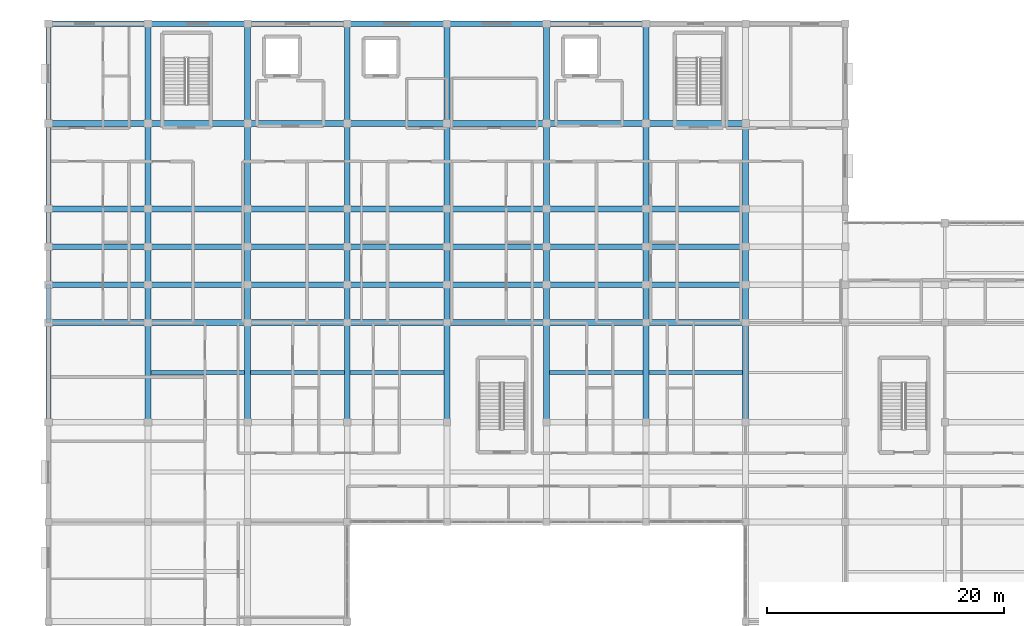
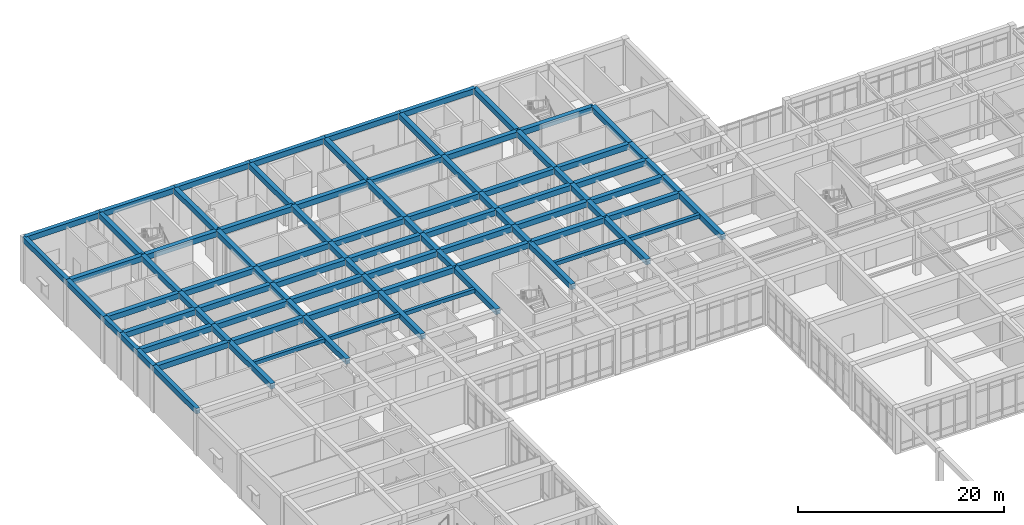
# One storey, part 22 of 89: 93 beams.
"""IFC4 building model written with IfcOpenShell, lengths in metres."""

from ifc_helpers import new_model, si_unit, direction, frame, origin, origin_2d, place, context, subcontext, project, spatial, rectangle, extrude, material, material_profile, profile_set, type_object, element, save


model = new_model("IFC4")

# Units and contexts
model_context = context("Model", 3, precision=1e-05, world=origin(), true_north=direction((0.0, 1.0)))
body_context = subcontext(model_context, "Body", "Model", "MODEL_VIEW")
ifc_project = project(units=[si_unit("LENGTHUNIT", "METRE"), si_unit("AREAUNIT", "SQUARE_METRE"), si_unit("VOLUMEUNIT", "CUBIC_METRE"), si_unit("PLANEANGLEUNIT", "RADIAN"), si_unit("MASSUNIT", "GRAM", prefix="KILO")], contexts=[model_context])

# Site, building, storey
site_placement = place(None, origin())
site = spatial("IfcSite", under=ifc_project, at=site_placement, CompositionType="ELEMENT")
building_placement = place(site_placement, origin())
building = spatial("IfcBuilding", under=site, at=building_placement, Name="Varncliffe General Hospital", CompositionType="ELEMENT")
storey_placement = place(building_placement, frame((0.0, 0.0, 10.800048828125)))
storey = spatial("IfcBuildingStorey", under=building, at=storey_placement, Name="L02", CompositionType="ELEMENT", Elevation=10.800048828125)

# Beams
ifc_material = material(Name="Concrete C35/45 (CSA A23.1 35 MPa)", Category="concrete")
ifc_material_profile_1 = material_profile(ifc_material, rectangle(XDim=0.5, YDim=0.64990234375, at=origin_2d()), Name="RC 500x650")
ifc_profile_set_1 = profile_set([ifc_material_profile_1], Name="Concrete C35/45 (CSA A23.1 35 MPa)")
beam_type_1 = type_object("IfcBeamType", Name="Beam B29 (Int RC 500x650)", PredefinedType="BEAM", material=ifc_profile_set_1)
beam_1_placement = place(storey_placement, frame((0.0, 99.60009765625, 5.074951171875), z_axis=(1.0, 0.0, 0.0), x_axis=(0.0, 1.0, 0.0)))
element("IfcBeam", 1, at=beam_1_placement, inside=storey, type_object=beam_type_1, Name="L02 Primary Beam B29-131", PredefinedType="BEAM", context=body_context, shape_type="SweptSolid", body=[
    extrude(rectangle(XDim=0.5, YDim=0.64990234375, at=origin_2d()), origin(), (0.0, 0.0, 1.0), 8.39990234375),
])
beam_2_placement = place(storey_placement, frame((8.39990234375, 99.60009765625, 5.074951171875), z_axis=(1.0, 0.0, 0.0), x_axis=(0.0, 1.0, 0.0)))
element("IfcBeam", 2, at=beam_2_placement, inside=storey, type_object=beam_type_1, Name="L02 Primary Beam B29-132", PredefinedType="BEAM", context=body_context, shape_type="SweptSolid", body=[
    extrude(rectangle(XDim=0.5, YDim=0.64990234375, at=origin_2d()), origin(), (0.0, 0.0, 1.0), 8.400146484375),
])
beam_3_placement = place(storey_placement, frame((16.800048828125, 99.60009765625, 5.074951171875), z_axis=(1.0, 0.0, 0.0), x_axis=(0.0, 1.0, 0.0)))
element("IfcBeam", 3, at=beam_3_placement, inside=storey, type_object=beam_type_1, Name="L02 Primary Beam B29-133", PredefinedType="BEAM", context=body_context, shape_type="SweptSolid", body=[
    extrude(rectangle(XDim=0.5, YDim=0.64990234375, at=origin_2d()), origin(), (0.0, 0.0, 1.0), 8.39990234375),
])
beam_4_placement = place(storey_placement, frame((25.199951171875, 99.60009765625, 5.074951171875), z_axis=(1.0, 0.0, 0.0), x_axis=(0.0, 1.0, 0.0)))
element("IfcBeam", 4, at=beam_4_placement, inside=storey, type_object=beam_type_1, Name="L02 Primary Beam B29-134", PredefinedType="BEAM", context=body_context, shape_type="SweptSolid", body=[
    extrude(rectangle(XDim=0.5, YDim=0.64990234375, at=origin_2d()), origin(), (0.0, 0.0, 1.0), 8.400146484375),
])
for number, where, z_axis, x_axis, name in (
    (5, (33.60009765625, 99.60009765625, 5.074951171875), (1.0, 0.0, 0.0), (0.0, 1.0, 0.0), "L02 Primary Beam B29-135"),
    (6, (42.0, 99.60009765625, 5.074951171875), (1.0, 0.0, 0.0), (0.0, 1.0, 0.0), "L02 Primary Beam B29-136"),
):
    element("IfcBeam", number, at=place(storey_placement, frame(where, z_axis=z_axis, x_axis=x_axis)), inside=storey, type_object=beam_type_1, Name=name, PredefinedType="BEAM", context=body_context, shape_type="SweptSolid", body=[
        extrude(rectangle(XDim=0.5, YDim=0.64990234375, at=origin_2d()), origin(), (0.0, 0.0, 1.0), 8.39990234375),
    ])
beam_5_placement = place(storey_placement, frame((50.39990234375, 99.60009765625, 5.074951171875), z_axis=(1.0, 0.0, 0.0), x_axis=(0.0, 1.0, 0.0)))
element("IfcBeam", 7, at=beam_5_placement, inside=storey, type_object=beam_type_1, Name="L02 Primary Beam B29-137", PredefinedType="BEAM", context=body_context, shape_type="SweptSolid", body=[
    extrude(rectangle(XDim=0.5, YDim=0.64990234375, at=origin_2d()), origin(), (0.0, 0.0, 1.0), 8.400146484375),
])
beam_6_placement = place(storey_placement, frame((0.0, 102.800048828125, 5.074951171875), z_axis=(1.0, 0.0, 0.0), x_axis=(0.0, 1.0, 0.0)))
element("IfcBeam", 8, at=beam_6_placement, inside=storey, type_object=beam_type_1, Name="L02 Primary Beam B29-152", PredefinedType="BEAM", context=body_context, shape_type="SweptSolid", body=[
    extrude(rectangle(XDim=0.5, YDim=0.64990234375, at=origin_2d()), origin(), (0.0, 0.0, 1.0), 8.39990234375),
])
beam_7_placement = place(storey_placement, frame((8.39990234375, 102.800048828125, 5.074951171875), z_axis=(1.0, 0.0, 0.0), x_axis=(0.0, 1.0, 0.0)))
element("IfcBeam", 9, at=beam_7_placement, inside=storey, type_object=beam_type_1, Name="L02 Primary Beam B29-153", PredefinedType="BEAM", context=body_context, shape_type="SweptSolid", body=[
    extrude(rectangle(XDim=0.5, YDim=0.64990234375, at=origin_2d()), origin(), (0.0, 0.0, 1.0), 8.400146484375),
])
beam_8_placement = place(storey_placement, frame((16.800048828125, 102.800048828125, 5.074951171875), z_axis=(1.0, 0.0, 0.0), x_axis=(0.0, 1.0, 0.0)))
element("IfcBeam", 10, at=beam_8_placement, inside=storey, type_object=beam_type_1, Name="L02 Primary Beam B29-154", PredefinedType="BEAM", context=body_context, shape_type="SweptSolid", body=[
    extrude(rectangle(XDim=0.5, YDim=0.64990234375, at=origin_2d()), origin(), (0.0, 0.0, 1.0), 8.39990234375),
])
beam_9_placement = place(storey_placement, frame((25.199951171875, 102.800048828125, 5.074951171875), z_axis=(1.0, 0.0, 0.0), x_axis=(0.0, 1.0, 0.0)))
element("IfcBeam", 11, at=beam_9_placement, inside=storey, type_object=beam_type_1, Name="L02 Primary Beam B29-155", PredefinedType="BEAM", context=body_context, shape_type="SweptSolid", body=[
    extrude(rectangle(XDim=0.5, YDim=0.64990234375, at=origin_2d()), origin(), (0.0, 0.0, 1.0), 8.400146484375),
])
for number, where, z_axis, x_axis, name in (
    (12, (33.60009765625, 102.800048828125, 5.074951171875), (1.0, 0.0, 0.0), (0.0, 1.0, 0.0), "L02 Primary Beam B29-156"),
    (13, (42.0, 102.800048828125, 5.074951171875), (1.0, 0.0, 0.0), (0.0, 1.0, 0.0), "L02 Primary Beam B29-157"),
):
    element("IfcBeam", number, at=place(storey_placement, frame(where, z_axis=z_axis, x_axis=x_axis)), inside=storey, type_object=beam_type_1, Name=name, PredefinedType="BEAM", context=body_context, shape_type="SweptSolid", body=[
        extrude(rectangle(XDim=0.5, YDim=0.64990234375, at=origin_2d()), origin(), (0.0, 0.0, 1.0), 8.39990234375),
    ])
beam_10_placement = place(storey_placement, frame((50.39990234375, 102.800048828125, 5.074951171875), z_axis=(1.0, 0.0, 0.0), x_axis=(0.0, 1.0, 0.0)))
element("IfcBeam", 14, at=beam_10_placement, inside=storey, type_object=beam_type_1, Name="L02 Primary Beam B29-158", PredefinedType="BEAM", context=body_context, shape_type="SweptSolid", body=[
    extrude(rectangle(XDim=0.5, YDim=0.64990234375, at=origin_2d()), origin(), (0.0, 0.0, 1.0), 8.400146484375),
])
beam_11_placement = place(storey_placement, frame((0.0, 106.0, 5.074951171875), z_axis=(1.0, 0.0, 0.0), x_axis=(0.0, 1.0, 0.0)))
element("IfcBeam", 15, at=beam_11_placement, inside=storey, type_object=beam_type_1, Name="L02 Primary Beam B29-173", PredefinedType="BEAM", context=body_context, shape_type="SweptSolid", body=[
    extrude(rectangle(XDim=0.5, YDim=0.64990234375, at=origin_2d()), origin(), (0.0, 0.0, 1.0), 8.39990234375),
])
beam_12_placement = place(storey_placement, frame((8.39990234375, 106.0, 5.074951171875), z_axis=(1.0, 0.0, 0.0), x_axis=(0.0, 1.0, 0.0)))
element("IfcBeam", 16, at=beam_12_placement, inside=storey, type_object=beam_type_1, Name="L02 Primary Beam B29-174", PredefinedType="BEAM", context=body_context, shape_type="SweptSolid", body=[
    extrude(rectangle(XDim=0.5, YDim=0.64990234375, at=origin_2d()), origin(), (0.0, 0.0, 1.0), 8.400146484375),
])
beam_13_placement = place(storey_placement, frame((16.800048828125, 106.0, 5.074951171875), z_axis=(1.0, 0.0, 0.0), x_axis=(0.0, 1.0, 0.0)))
element("IfcBeam", 17, at=beam_13_placement, inside=storey, type_object=beam_type_1, Name="L02 Primary Beam B29-175", PredefinedType="BEAM", context=body_context, shape_type="SweptSolid", body=[
    extrude(rectangle(XDim=0.5, YDim=0.64990234375, at=origin_2d()), origin(), (0.0, 0.0, 1.0), 8.39990234375),
])
beam_14_placement = place(storey_placement, frame((25.199951171875, 106.0, 5.074951171875), z_axis=(1.0, 0.0, 0.0), x_axis=(0.0, 1.0, 0.0)))
element("IfcBeam", 18, at=beam_14_placement, inside=storey, type_object=beam_type_1, Name="L02 Primary Beam B29-176", PredefinedType="BEAM", context=body_context, shape_type="SweptSolid", body=[
    extrude(rectangle(XDim=0.5, YDim=0.64990234375, at=origin_2d()), origin(), (0.0, 0.0, 1.0), 8.400146484375),
])
for number, where, z_axis, x_axis, name in (
    (19, (33.60009765625, 106.0, 5.074951171875), (1.0, 0.0, 0.0), (0.0, 1.0, 0.0), "L02 Primary Beam B29-177"),
    (20, (42.0, 106.0, 5.074951171875), (1.0, 0.0, 0.0), (0.0, 1.0, 0.0), "L02 Primary Beam B29-178"),
):
    element("IfcBeam", number, at=place(storey_placement, frame(where, z_axis=z_axis, x_axis=x_axis)), inside=storey, type_object=beam_type_1, Name=name, PredefinedType="BEAM", context=body_context, shape_type="SweptSolid", body=[
        extrude(rectangle(XDim=0.5, YDim=0.64990234375, at=origin_2d()), origin(), (0.0, 0.0, 1.0), 8.39990234375),
    ])
beam_15_placement = place(storey_placement, frame((50.39990234375, 106.0, 5.074951171875), z_axis=(1.0, 0.0, 0.0), x_axis=(0.0, 1.0, 0.0)))
element("IfcBeam", 21, at=beam_15_placement, inside=storey, type_object=beam_type_1, Name="L02 Primary Beam B29-179", PredefinedType="BEAM", context=body_context, shape_type="SweptSolid", body=[
    extrude(rectangle(XDim=0.5, YDim=0.64990234375, at=origin_2d()), origin(), (0.0, 0.0, 1.0), 8.400146484375),
])
beam_16_placement = place(storey_placement, frame((0.0, 109.199951171875, 5.074951171875), z_axis=(1.0, 0.0, 0.0), x_axis=(0.0, 1.0, 0.0)))
element("IfcBeam", 22, at=beam_16_placement, inside=storey, type_object=beam_type_1, Name="L02 Primary Beam B29-192", PredefinedType="BEAM", context=body_context, shape_type="SweptSolid", body=[
    extrude(rectangle(XDim=0.5, YDim=0.64990234375, at=origin_2d()), origin(), (0.0, 0.0, 1.0), 8.39990234375),
])
beam_17_placement = place(storey_placement, frame((8.39990234375, 109.199951171875, 5.074951171875), z_axis=(1.0, 0.0, 0.0), x_axis=(0.0, 1.0, 0.0)))
element("IfcBeam", 23, at=beam_17_placement, inside=storey, type_object=beam_type_1, Name="L02 Primary Beam B29-193", PredefinedType="BEAM", context=body_context, shape_type="SweptSolid", body=[
    extrude(rectangle(XDim=0.5, YDim=0.64990234375, at=origin_2d()), origin(), (0.0, 0.0, 1.0), 8.400146484375),
])
beam_18_placement = place(storey_placement, frame((16.800048828125, 109.199951171875, 5.074951171875), z_axis=(1.0, 0.0, 0.0), x_axis=(0.0, 1.0, 0.0)))
element("IfcBeam", 24, at=beam_18_placement, inside=storey, type_object=beam_type_1, Name="L02 Primary Beam B29-194", PredefinedType="BEAM", context=body_context, shape_type="SweptSolid", body=[
    extrude(rectangle(XDim=0.5, YDim=0.64990234375, at=origin_2d()), origin(), (0.0, 0.0, 1.0), 8.39990234375),
])
beam_19_placement = place(storey_placement, frame((25.199951171875, 109.199951171875, 5.074951171875), z_axis=(1.0, 0.0, 0.0), x_axis=(0.0, 1.0, 0.0)))
element("IfcBeam", 25, at=beam_19_placement, inside=storey, type_object=beam_type_1, Name="L02 Primary Beam B29-195", PredefinedType="BEAM", context=body_context, shape_type="SweptSolid", body=[
    extrude(rectangle(XDim=0.5, YDim=0.64990234375, at=origin_2d()), origin(), (0.0, 0.0, 1.0), 8.400146484375),
])
for number, where, z_axis, x_axis, name in (
    (26, (33.60009765625, 109.199951171875, 5.074951171875), (1.0, 0.0, 0.0), (0.0, 1.0, 0.0), "L02 Primary Beam B29-196"),
    (27, (42.0, 109.199951171875, 5.074951171875), (1.0, 0.0, 0.0), (0.0, 1.0, 0.0), "L02 Primary Beam B29-197"),
):
    element("IfcBeam", number, at=place(storey_placement, frame(where, z_axis=z_axis, x_axis=x_axis)), inside=storey, type_object=beam_type_1, Name=name, PredefinedType="BEAM", context=body_context, shape_type="SweptSolid", body=[
        extrude(rectangle(XDim=0.5, YDim=0.64990234375, at=origin_2d()), origin(), (0.0, 0.0, 1.0), 8.39990234375),
    ])
beam_20_placement = place(storey_placement, frame((50.39990234375, 109.199951171875, 5.074951171875), z_axis=(1.0, 0.0, 0.0), x_axis=(0.0, 1.0, 0.0)))
element("IfcBeam", 28, at=beam_20_placement, inside=storey, type_object=beam_type_1, Name="L02 Primary Beam B29-198", PredefinedType="BEAM", context=body_context, shape_type="SweptSolid", body=[
    extrude(rectangle(XDim=0.5, YDim=0.64990234375, at=origin_2d()), origin(), (0.0, 0.0, 1.0), 8.400146484375),
])
beam_21_placement = place(storey_placement, frame((0.0, 116.39990234375, 5.074951171875), z_axis=(1.0, 0.0, 0.0), x_axis=(0.0, 1.0, 0.0)))
element("IfcBeam", 29, at=beam_21_placement, inside=storey, type_object=beam_type_1, Name="L02 Primary Beam B29-208", PredefinedType="BEAM", context=body_context, shape_type="SweptSolid", body=[
    extrude(rectangle(XDim=0.5, YDim=0.64990234375, at=origin_2d()), origin(), (0.0, 0.0, 1.0), 8.39990234375),
])
beam_22_placement = place(storey_placement, frame((8.39990234375, 116.39990234375, 5.074951171875), z_axis=(1.0, 0.0, 0.0), x_axis=(0.0, 1.0, 0.0)))
element("IfcBeam", 30, at=beam_22_placement, inside=storey, type_object=beam_type_1, Name="L02 Primary Beam B29-209", PredefinedType="BEAM", context=body_context, shape_type="SweptSolid", body=[
    extrude(rectangle(XDim=0.5, YDim=0.64990234375, at=origin_2d()), origin(), (0.0, 0.0, 1.0), 8.400146484375),
])
beam_23_placement = place(storey_placement, frame((16.800048828125, 116.39990234375, 5.074951171875), z_axis=(1.0, 0.0, 0.0), x_axis=(0.0, 1.0, 0.0)))
element("IfcBeam", 31, at=beam_23_placement, inside=storey, type_object=beam_type_1, Name="L02 Primary Beam B29-210", PredefinedType="BEAM", context=body_context, shape_type="SweptSolid", body=[
    extrude(rectangle(XDim=0.5, YDim=0.64990234375, at=origin_2d()), origin(), (0.0, 0.0, 1.0), 8.39990234375),
])
beam_24_placement = place(storey_placement, frame((25.199951171875, 116.39990234375, 5.074951171875), z_axis=(1.0, 0.0, 0.0), x_axis=(0.0, 1.0, 0.0)))
element("IfcBeam", 32, at=beam_24_placement, inside=storey, type_object=beam_type_1, Name="L02 Primary Beam B29-211", PredefinedType="BEAM", context=body_context, shape_type="SweptSolid", body=[
    extrude(rectangle(XDim=0.5, YDim=0.64990234375, at=origin_2d()), origin(), (0.0, 0.0, 1.0), 8.400146484375),
])
for number, where, z_axis, x_axis, name in (
    (33, (33.60009765625, 116.39990234375, 5.074951171875), (1.0, 0.0, 0.0), (0.0, 1.0, 0.0), "L02 Primary Beam B29-212"),
    (34, (42.0, 116.39990234375, 5.074951171875), (1.0, 0.0, 0.0), (0.0, 1.0, 0.0), "L02 Primary Beam B29-213"),
):
    element("IfcBeam", number, at=place(storey_placement, frame(where, z_axis=z_axis, x_axis=x_axis)), inside=storey, type_object=beam_type_1, Name=name, PredefinedType="BEAM", context=body_context, shape_type="SweptSolid", body=[
        extrude(rectangle(XDim=0.5, YDim=0.64990234375, at=origin_2d()), origin(), (0.0, 0.0, 1.0), 8.39990234375),
    ])
for number, where, z_axis, x_axis, name in (
    (35, (50.39990234375, 116.39990234375, 5.074951171875), (1.0, 0.0, 0.0), (0.0, 1.0, 0.0), "L02 Primary Beam B29-214"),
    (36, (8.39990234375, 91.199951171875, 5.074951171875), (0.0, 1.0, 0.0), (-1.0, 0.0, 0.0), "L02 Primary Beam B29-257"),
):
    element("IfcBeam", number, at=place(storey_placement, frame(where, z_axis=z_axis, x_axis=x_axis)), inside=storey, type_object=beam_type_1, Name=name, PredefinedType="BEAM", context=body_context, shape_type="SweptSolid", body=[
        extrude(rectangle(XDim=0.5, YDim=0.64990234375, at=origin_2d()), origin(), (0.0, 0.0, 1.0), 8.400146484375),
    ])
for number, where, z_axis, x_axis, name in (
    (37, (8.39990234375, 99.60009765625, 5.074951171875), (0.0, 1.0, 0.0), (-1.0, 0.0, 0.0), "L02 Primary Beam B29-258"),
    (38, (8.39990234375, 102.800048828125, 5.074951171875), (0.0, 1.0, 0.0), (-1.0, 0.0, 0.0), "L02 Primary Beam B29-259"),
    (39, (8.39990234375, 106.0, 5.074951171875), (0.0, 1.0, 0.0), (-1.0, 0.0, 0.0), "L02 Primary Beam B29-260"),
):
    element("IfcBeam", number, at=place(storey_placement, frame(where, z_axis=z_axis, x_axis=x_axis)), inside=storey, type_object=beam_type_1, Name=name, PredefinedType="BEAM", context=body_context, shape_type="SweptSolid", body=[
        extrude(rectangle(XDim=0.5, YDim=0.64990234375, at=origin_2d()), origin(), (0.0, 0.0, 1.0), 3.199951171875),
    ])
beam_25_placement = place(storey_placement, frame((8.39990234375, 109.199951171875, 5.074951171875), z_axis=(0.0, 1.0, 0.0), x_axis=(-1.0, 0.0, 0.0)))
element("IfcBeam", 40, at=beam_25_placement, inside=storey, type_object=beam_type_1, Name="L02 Primary Beam B29-261", PredefinedType="BEAM", context=body_context, shape_type="SweptSolid", body=[
    extrude(rectangle(XDim=0.5, YDim=0.64990234375, at=origin_2d()), origin(), (0.0, 0.0, 1.0), 7.199951171875),
])
for number, where, z_axis, x_axis, name in (
    (41, (8.39990234375, 116.39990234375, 5.074951171875), (0.0, 1.0, 0.0), (-1.0, 0.0, 0.0), "L02 Primary Beam B29-262"),
    (42, (16.800048828125, 91.199951171875, 5.074951171875), (0.0, 1.0, 0.0), (-1.0, 0.0, 0.0), "L02 Primary Beam B29-269"),
):
    element("IfcBeam", number, at=place(storey_placement, frame(where, z_axis=z_axis, x_axis=x_axis)), inside=storey, type_object=beam_type_1, Name=name, PredefinedType="BEAM", context=body_context, shape_type="SweptSolid", body=[
        extrude(rectangle(XDim=0.5, YDim=0.64990234375, at=origin_2d()), origin(), (0.0, 0.0, 1.0), 8.400146484375),
    ])
for number, where, z_axis, x_axis, name in (
    (43, (16.800048828125, 99.60009765625, 5.074951171875), (0.0, 1.0, 0.0), (-1.0, 0.0, 0.0), "L02 Primary Beam B29-270"),
    (44, (16.800048828125, 102.800048828125, 5.074951171875), (0.0, 1.0, 0.0), (-1.0, 0.0, 0.0), "L02 Primary Beam B29-271"),
    (45, (16.800048828125, 106.0, 5.074951171875), (0.0, 1.0, 0.0), (-1.0, 0.0, 0.0), "L02 Primary Beam B29-272"),
):
    element("IfcBeam", number, at=place(storey_placement, frame(where, z_axis=z_axis, x_axis=x_axis)), inside=storey, type_object=beam_type_1, Name=name, PredefinedType="BEAM", context=body_context, shape_type="SweptSolid", body=[
        extrude(rectangle(XDim=0.5, YDim=0.64990234375, at=origin_2d()), origin(), (0.0, 0.0, 1.0), 3.199951171875),
    ])
beam_26_placement = place(storey_placement, frame((16.800048828125, 109.199951171875, 5.074951171875), z_axis=(0.0, 1.0, 0.0), x_axis=(-1.0, 0.0, 0.0)))
element("IfcBeam", 46, at=beam_26_placement, inside=storey, type_object=beam_type_1, Name="L02 Primary Beam B29-273", PredefinedType="BEAM", context=body_context, shape_type="SweptSolid", body=[
    extrude(rectangle(XDim=0.5, YDim=0.64990234375, at=origin_2d()), origin(), (0.0, 0.0, 1.0), 7.199951171875),
])
for number, where, z_axis, x_axis, name in (
    (47, (16.800048828125, 116.39990234375, 5.074951171875), (0.0, 1.0, 0.0), (-1.0, 0.0, 0.0), "L02 Primary Beam B29-274"),
    (48, (25.199951171875, 91.199951171875, 5.074951171875), (0.0, 1.0, 0.0), (-1.0, 0.0, 0.0), "L02 Primary Beam B29-281"),
):
    element("IfcBeam", number, at=place(storey_placement, frame(where, z_axis=z_axis, x_axis=x_axis)), inside=storey, type_object=beam_type_1, Name=name, PredefinedType="BEAM", context=body_context, shape_type="SweptSolid", body=[
        extrude(rectangle(XDim=0.5, YDim=0.64990234375, at=origin_2d()), origin(), (0.0, 0.0, 1.0), 8.400146484375),
    ])
for number, where, z_axis, x_axis, name in (
    (49, (25.199951171875, 99.60009765625, 5.074951171875), (0.0, 1.0, 0.0), (-1.0, 0.0, 0.0), "L02 Primary Beam B29-282"),
    (50, (25.199951171875, 102.800048828125, 5.074951171875), (0.0, 1.0, 0.0), (-1.0, 0.0, 0.0), "L02 Primary Beam B29-283"),
    (51, (25.199951171875, 106.0, 5.074951171875), (0.0, 1.0, 0.0), (-1.0, 0.0, 0.0), "L02 Primary Beam B29-284"),
):
    element("IfcBeam", number, at=place(storey_placement, frame(where, z_axis=z_axis, x_axis=x_axis)), inside=storey, type_object=beam_type_1, Name=name, PredefinedType="BEAM", context=body_context, shape_type="SweptSolid", body=[
        extrude(rectangle(XDim=0.5, YDim=0.64990234375, at=origin_2d()), origin(), (0.0, 0.0, 1.0), 3.199951171875),
    ])
beam_27_placement = place(storey_placement, frame((25.199951171875, 109.199951171875, 5.074951171875), z_axis=(0.0, 1.0, 0.0), x_axis=(-1.0, 0.0, 0.0)))
element("IfcBeam", 52, at=beam_27_placement, inside=storey, type_object=beam_type_1, Name="L02 Primary Beam B29-285", PredefinedType="BEAM", context=body_context, shape_type="SweptSolid", body=[
    extrude(rectangle(XDim=0.5, YDim=0.64990234375, at=origin_2d()), origin(), (0.0, 0.0, 1.0), 7.199951171875),
])
for number, where, z_axis, x_axis, name in (
    (53, (25.199951171875, 116.39990234375, 5.074951171875), (0.0, 1.0, 0.0), (-1.0, 0.0, 0.0), "L02 Primary Beam B29-286"),
    (54, (33.60009765625, 91.199951171875, 5.074951171875), (0.0, 1.0, 0.0), (-1.0, 0.0, 0.0), "L02 Primary Beam B29-288"),
):
    element("IfcBeam", number, at=place(storey_placement, frame(where, z_axis=z_axis, x_axis=x_axis)), inside=storey, type_object=beam_type_1, Name=name, PredefinedType="BEAM", context=body_context, shape_type="SweptSolid", body=[
        extrude(rectangle(XDim=0.5, YDim=0.64990234375, at=origin_2d()), origin(), (0.0, 0.0, 1.0), 8.400146484375),
    ])
for number, where, z_axis, x_axis, name in (
    (55, (33.60009765625, 99.60009765625, 5.074951171875), (0.0, 1.0, 0.0), (-1.0, 0.0, 0.0), "L02 Primary Beam B29-289"),
    (56, (33.60009765625, 102.800048828125, 5.074951171875), (0.0, 1.0, 0.0), (-1.0, 0.0, 0.0), "L02 Primary Beam B29-290"),
    (57, (33.60009765625, 106.0, 5.074951171875), (0.0, 1.0, 0.0), (-1.0, 0.0, 0.0), "L02 Primary Beam B29-291"),
):
    element("IfcBeam", number, at=place(storey_placement, frame(where, z_axis=z_axis, x_axis=x_axis)), inside=storey, type_object=beam_type_1, Name=name, PredefinedType="BEAM", context=body_context, shape_type="SweptSolid", body=[
        extrude(rectangle(XDim=0.5, YDim=0.64990234375, at=origin_2d()), origin(), (0.0, 0.0, 1.0), 3.199951171875),
    ])
beam_28_placement = place(storey_placement, frame((33.60009765625, 109.199951171875, 5.074951171875), z_axis=(0.0, 1.0, 0.0), x_axis=(-1.0, 0.0, 0.0)))
element("IfcBeam", 58, at=beam_28_placement, inside=storey, type_object=beam_type_1, Name="L02 Primary Beam B29-292", PredefinedType="BEAM", context=body_context, shape_type="SweptSolid", body=[
    extrude(rectangle(XDim=0.5, YDim=0.64990234375, at=origin_2d()), origin(), (0.0, 0.0, 1.0), 7.199951171875),
])
for number, where, z_axis, x_axis, name in (
    (59, (33.60009765625, 116.39990234375, 5.074951171875), (0.0, 1.0, 0.0), (-1.0, 0.0, 0.0), "L02 Primary Beam B29-293"),
    (60, (42.0, 91.199951171875, 5.074951171875), (0.0, 1.0, 0.0), (-1.0, 0.0, 0.0), "L02 Primary Beam B29-295"),
):
    element("IfcBeam", number, at=place(storey_placement, frame(where, z_axis=z_axis, x_axis=x_axis)), inside=storey, type_object=beam_type_1, Name=name, PredefinedType="BEAM", context=body_context, shape_type="SweptSolid", body=[
        extrude(rectangle(XDim=0.5, YDim=0.64990234375, at=origin_2d()), origin(), (0.0, 0.0, 1.0), 8.400146484375),
    ])
for number, where, z_axis, x_axis, name in (
    (61, (42.0, 99.60009765625, 5.074951171875), (0.0, 1.0, 0.0), (-1.0, 0.0, 0.0), "L02 Primary Beam B29-296"),
    (62, (42.0, 102.800048828125, 5.074951171875), (0.0, 1.0, 0.0), (-1.0, 0.0, 0.0), "L02 Primary Beam B29-297"),
    (63, (42.0, 106.0, 5.074951171875), (0.0, 1.0, 0.0), (-1.0, 0.0, 0.0), "L02 Primary Beam B29-298"),
):
    element("IfcBeam", number, at=place(storey_placement, frame(where, z_axis=z_axis, x_axis=x_axis)), inside=storey, type_object=beam_type_1, Name=name, PredefinedType="BEAM", context=body_context, shape_type="SweptSolid", body=[
        extrude(rectangle(XDim=0.5, YDim=0.64990234375, at=origin_2d()), origin(), (0.0, 0.0, 1.0), 3.199951171875),
    ])
beam_29_placement = place(storey_placement, frame((42.0, 109.199951171875, 5.074951171875), z_axis=(0.0, 1.0, 0.0), x_axis=(-1.0, 0.0, 0.0)))
element("IfcBeam", 64, at=beam_29_placement, inside=storey, type_object=beam_type_1, Name="L02 Primary Beam B29-299", PredefinedType="BEAM", context=body_context, shape_type="SweptSolid", body=[
    extrude(rectangle(XDim=0.5, YDim=0.64990234375, at=origin_2d()), origin(), (0.0, 0.0, 1.0), 7.199951171875),
])
for number, where, z_axis, x_axis, name in (
    (65, (42.0, 116.39990234375, 5.074951171875), (0.0, 1.0, 0.0), (-1.0, 0.0, 0.0), "L02 Primary Beam B29-300"),
    (66, (50.39990234375, 91.199951171875, 5.074951171875), (0.0, 1.0, 0.0), (-1.0, 0.0, 0.0), "L02 Primary Beam B29-302"),
):
    element("IfcBeam", number, at=place(storey_placement, frame(where, z_axis=z_axis, x_axis=x_axis)), inside=storey, type_object=beam_type_1, Name=name, PredefinedType="BEAM", context=body_context, shape_type="SweptSolid", body=[
        extrude(rectangle(XDim=0.5, YDim=0.64990234375, at=origin_2d()), origin(), (0.0, 0.0, 1.0), 8.400146484375),
    ])
for number, where, z_axis, x_axis, name in (
    (67, (50.39990234375, 99.60009765625, 5.074951171875), (0.0, 1.0, 0.0), (-1.0, 0.0, 0.0), "L02 Primary Beam B29-303"),
    (68, (50.39990234375, 102.800048828125, 5.074951171875), (0.0, 1.0, 0.0), (-1.0, 0.0, 0.0), "L02 Primary Beam B29-304"),
    (69, (50.39990234375, 106.0, 5.074951171875), (0.0, 1.0, 0.0), (-1.0, 0.0, 0.0), "L02 Primary Beam B29-305"),
):
    element("IfcBeam", number, at=place(storey_placement, frame(where, z_axis=z_axis, x_axis=x_axis)), inside=storey, type_object=beam_type_1, Name=name, PredefinedType="BEAM", context=body_context, shape_type="SweptSolid", body=[
        extrude(rectangle(XDim=0.5, YDim=0.64990234375, at=origin_2d()), origin(), (0.0, 0.0, 1.0), 3.199951171875),
    ])
beam_30_placement = place(storey_placement, frame((50.39990234375, 109.199951171875, 5.074951171875), z_axis=(0.0, 1.0, 0.0), x_axis=(-1.0, 0.0, 0.0)))
element("IfcBeam", 70, at=beam_30_placement, inside=storey, type_object=beam_type_1, Name="L02 Primary Beam B29-306", PredefinedType="BEAM", context=body_context, shape_type="SweptSolid", body=[
    extrude(rectangle(XDim=0.5, YDim=0.64990234375, at=origin_2d()), origin(), (0.0, 0.0, 1.0), 7.199951171875),
])
for number, where, z_axis, x_axis, name in (
    (71, (50.39990234375, 116.39990234375, 5.074951171875), (0.0, 1.0, 0.0), (-1.0, 0.0, 0.0), "L02 Primary Beam B29-307"),
    (72, (58.800048828125, 91.199951171875, 5.074951171875), (0.0, 1.0, 0.0), (-1.0, 0.0, 0.0), "L02 Primary Beam B29-320"),
):
    element("IfcBeam", number, at=place(storey_placement, frame(where, z_axis=z_axis, x_axis=x_axis)), inside=storey, type_object=beam_type_1, Name=name, PredefinedType="BEAM", context=body_context, shape_type="SweptSolid", body=[
        extrude(rectangle(XDim=0.5, YDim=0.64990234375, at=origin_2d()), origin(), (0.0, 0.0, 1.0), 8.400146484375),
    ])
for number, where, z_axis, x_axis, name in (
    (73, (58.800048828125, 99.60009765625, 5.074951171875), (0.0, 1.0, 0.0), (-1.0, 0.0, 0.0), "L02 Primary Beam B29-321"),
    (74, (58.800048828125, 102.800048828125, 5.074951171875), (0.0, 1.0, 0.0), (-1.0, 0.0, 0.0), "L02 Primary Beam B29-322"),
    (75, (58.800048828125, 106.0, 5.074951171875), (0.0, 1.0, 0.0), (-1.0, 0.0, 0.0), "L02 Primary Beam B29-323"),
):
    element("IfcBeam", number, at=place(storey_placement, frame(where, z_axis=z_axis, x_axis=x_axis)), inside=storey, type_object=beam_type_1, Name=name, PredefinedType="BEAM", context=body_context, shape_type="SweptSolid", body=[
        extrude(rectangle(XDim=0.5, YDim=0.64990234375, at=origin_2d()), origin(), (0.0, 0.0, 1.0), 3.199951171875),
    ])
beam_31_placement = place(storey_placement, frame((58.800048828125, 109.199951171875, 5.074951171875), z_axis=(0.0, 1.0, 0.0), x_axis=(-1.0, 0.0, 0.0)))
element("IfcBeam", 76, at=beam_31_placement, inside=storey, type_object=beam_type_1, Name="L02 Primary Beam B29-324", PredefinedType="BEAM", context=body_context, shape_type="SweptSolid", body=[
    extrude(rectangle(XDim=0.5, YDim=0.64990234375, at=origin_2d()), origin(), (0.0, 0.0, 1.0), 7.199951171875),
])
ifc_material_profile_2 = material_profile(ifc_material, rectangle(XDim=0.35009765625, YDim=0.449951171875, at=origin_2d()), Name="RC 350x450")
ifc_profile_set_2 = profile_set([ifc_material_profile_2], Name="Concrete C35/45 (CSA A23.1 35 MPa)")
beam_type_2 = type_object("IfcBeamType", Name="Joist J55 (Int RC 350x450)", PredefinedType="JOIST", material=ifc_profile_set_2)
beam_32_placement = place(storey_placement, frame((8.64794921875, 95.39990234375, 5.175048828125), z_axis=(1.0, 0.0, 0.0), x_axis=(0.0, 1.0, 0.0)))
element("IfcBeam", 77, at=beam_32_placement, inside=storey, type_object=beam_type_2, Name="L02 Secondary Floor Rib J55-6", PredefinedType="JOIST", context=body_context, shape_type="SweptSolid", body=[
    extrude(rectangle(XDim=0.35009765625, YDim=0.449951171875, at=origin_2d()), origin(), (0.0, 0.0, 1.0), 7.904052734375),
])
beam_33_placement = place(storey_placement, frame((17.048095703125, 95.39990234375, 5.175048828125), z_axis=(1.0, 0.0, 0.0), x_axis=(0.0, 1.0, 0.0)))
element("IfcBeam", 78, at=beam_33_placement, inside=storey, type_object=beam_type_2, Name="L02 Secondary Floor Rib J55-8", PredefinedType="JOIST", context=body_context, shape_type="SweptSolid", body=[
    extrude(rectangle(XDim=0.35009765625, YDim=0.449951171875, at=origin_2d()), origin(), (0.0, 0.0, 1.0), 7.90380859375),
])
for number, where, z_axis, x_axis, name in (
    (79, (25.447998046875, 95.39990234375, 5.175048828125), (1.0, 0.0, 0.0), (0.0, 1.0, 0.0), "L02 Secondary Floor Rib J55-10"),
    (80, (42.248046875, 95.39990234375, 5.175048828125), (1.0, 0.0, 0.0), (0.0, 1.0, 0.0), "L02 Secondary Floor Rib J55-13"),
    (81, (50.64794921875, 95.39990234375, 5.175048828125), (1.0, 0.0, 0.0), (0.0, 1.0, 0.0), "L02 Secondary Floor Rib J55-15"),
):
    element("IfcBeam", number, at=place(storey_placement, frame(where, z_axis=z_axis, x_axis=x_axis)), inside=storey, type_object=beam_type_2, Name=name, PredefinedType="JOIST", context=body_context, shape_type="SweptSolid", body=[
        extrude(rectangle(XDim=0.35009765625, YDim=0.449951171875, at=origin_2d()), origin(), (0.0, 0.0, 1.0), 7.904052734375),
    ])
ifc_material_profile_3 = material_profile(ifc_material, rectangle(XDim=0.449951171875, YDim=0.64990234375, at=origin_2d()), Name="RC 450x650")
ifc_profile_set_3 = profile_set([ifc_material_profile_3], Name="Concrete C35/45 (CSA A23.1 35 MPa)")
beam_type_3 = type_object("IfcBeamType", Name="Spandrel SP38 (Ext RC 450x650B)", PredefinedType="SPANDREL", material=ifc_profile_set_3)
beam_34_placement = place(storey_placement, frame((0.0, 124.800048828125, 5.074951171875), z_axis=(1.0, 0.0, 0.0), x_axis=(0.0, 1.0, 0.0)))
element("IfcBeam", 82, at=beam_34_placement, inside=storey, type_object=beam_type_3, Name="L02 Spandrel Beam SP38-224", PredefinedType="SPANDREL", context=body_context, shape_type="SweptSolid", body=[
    extrude(rectangle(XDim=0.449951171875, YDim=0.64990234375, at=origin_2d()), origin(), (0.0, 0.0, 1.0), 8.39990234375),
])
beam_35_placement = place(storey_placement, frame((8.39990234375, 124.800048828125, 5.074951171875), z_axis=(1.0, 0.0, 0.0), x_axis=(0.0, 1.0, 0.0)))
element("IfcBeam", 83, at=beam_35_placement, inside=storey, type_object=beam_type_3, Name="L02 Spandrel Beam SP38-225", PredefinedType="SPANDREL", context=body_context, shape_type="SweptSolid", body=[
    extrude(rectangle(XDim=0.449951171875, YDim=0.64990234375, at=origin_2d()), origin(), (0.0, 0.0, 1.0), 8.400146484375),
])
beam_36_placement = place(storey_placement, frame((16.800048828125, 124.800048828125, 5.074951171875), z_axis=(1.0, 0.0, 0.0), x_axis=(0.0, 1.0, 0.0)))
element("IfcBeam", 84, at=beam_36_placement, inside=storey, type_object=beam_type_3, Name="L02 Spandrel Beam SP38-226", PredefinedType="SPANDREL", context=body_context, shape_type="SweptSolid", body=[
    extrude(rectangle(XDim=0.449951171875, YDim=0.64990234375, at=origin_2d()), origin(), (0.0, 0.0, 1.0), 8.39990234375),
])
beam_37_placement = place(storey_placement, frame((25.199951171875, 124.800048828125, 5.074951171875), z_axis=(1.0, 0.0, 0.0), x_axis=(0.0, 1.0, 0.0)))
element("IfcBeam", 85, at=beam_37_placement, inside=storey, type_object=beam_type_3, Name="L02 Spandrel Beam SP38-227", PredefinedType="SPANDREL", context=body_context, shape_type="SweptSolid", body=[
    extrude(rectangle(XDim=0.449951171875, YDim=0.64990234375, at=origin_2d()), origin(), (0.0, 0.0, 1.0), 8.400146484375),
])
for number, where, z_axis, x_axis, name in (
    (86, (33.60009765625, 124.800048828125, 5.074951171875), (1.0, 0.0, 0.0), (0.0, 1.0, 0.0), "L02 Spandrel Beam SP38-228"),
    (87, (42.0, 124.800048828125, 5.074951171875), (1.0, 0.0, 0.0), (0.0, 1.0, 0.0), "L02 Spandrel Beam SP38-229"),
):
    element("IfcBeam", number, at=place(storey_placement, frame(where, z_axis=z_axis, x_axis=x_axis)), inside=storey, type_object=beam_type_3, Name=name, PredefinedType="SPANDREL", context=body_context, shape_type="SweptSolid", body=[
        extrude(rectangle(XDim=0.449951171875, YDim=0.64990234375, at=origin_2d()), origin(), (0.0, 0.0, 1.0), 8.39990234375),
    ])
beam_38_placement = place(storey_placement, frame((0.0, 91.199951171875, 5.074951171875), z_axis=(0.0, 1.0, 0.0), x_axis=(-1.0, 0.0, 0.0)))
element("IfcBeam", 88, at=beam_38_placement, inside=storey, type_object=beam_type_3, Name="L02 Spandrel Beam SP38-246", PredefinedType="SPANDREL", context=body_context, shape_type="SweptSolid", body=[
    extrude(rectangle(XDim=0.449951171875, YDim=0.64990234375, at=origin_2d()), origin(), (0.0, 0.0, 1.0), 8.400146484375),
])
for number, where, z_axis, x_axis, name in (
    (89, (0.0, 99.60009765625, 5.074951171875), (0.0, 1.0, 0.0), (-1.0, 0.0, 0.0), "L02 Spandrel Beam SP38-247"),
    (90, (0.0, 102.800048828125, 5.074951171875), (0.0, 1.0, 0.0), (-1.0, 0.0, 0.0), "L02 Spandrel Beam SP38-248"),
    (91, (0.0, 106.0, 5.074951171875), (0.0, 1.0, 0.0), (-1.0, 0.0, 0.0), "L02 Spandrel Beam SP38-249"),
):
    element("IfcBeam", number, at=place(storey_placement, frame(where, z_axis=z_axis, x_axis=x_axis)), inside=storey, type_object=beam_type_3, Name=name, PredefinedType="SPANDREL", context=body_context, shape_type="SweptSolid", body=[
        extrude(rectangle(XDim=0.449951171875, YDim=0.64990234375, at=origin_2d()), origin(), (0.0, 0.0, 1.0), 3.199951171875),
    ])
beam_39_placement = place(storey_placement, frame((0.0, 109.199951171875, 5.074951171875), z_axis=(0.0, 1.0, 0.0), x_axis=(-1.0, 0.0, 0.0)))
element("IfcBeam", 92, at=beam_39_placement, inside=storey, type_object=beam_type_3, Name="L02 Spandrel Beam SP38-250", PredefinedType="SPANDREL", context=body_context, shape_type="SweptSolid", body=[
    extrude(rectangle(XDim=0.449951171875, YDim=0.64990234375, at=origin_2d()), origin(), (0.0, 0.0, 1.0), 7.199951171875),
])
beam_40_placement = place(storey_placement, frame((0.0, 116.39990234375, 5.074951171875), z_axis=(0.0, 1.0, 0.0), x_axis=(-1.0, 0.0, 0.0)))
element("IfcBeam", 93, at=beam_40_placement, inside=storey, type_object=beam_type_3, Name="L02 Spandrel Beam SP38-251", PredefinedType="SPANDREL", context=body_context, shape_type="SweptSolid", body=[
    extrude(rectangle(XDim=0.449951171875, YDim=0.64990234375, at=origin_2d()), origin(), (0.0, 0.0, 1.0), 8.400146484375),
])

save(model, "model.ifc")
